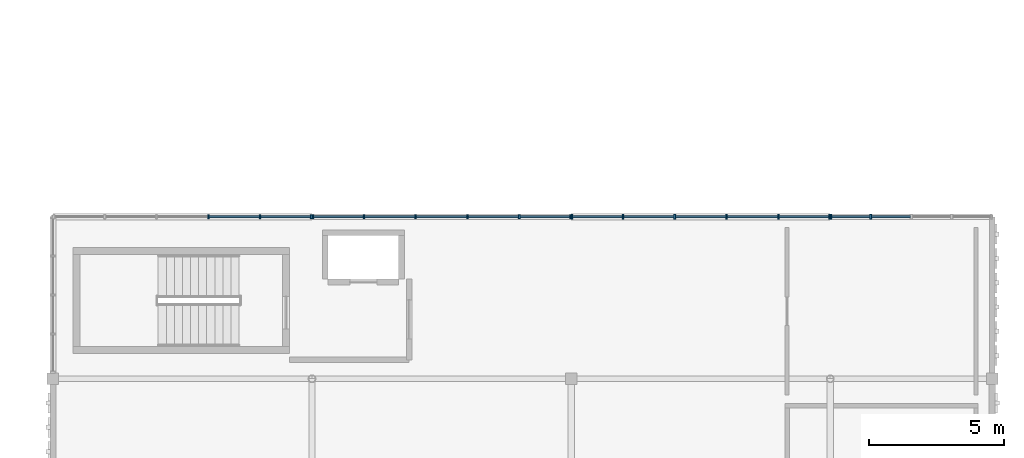
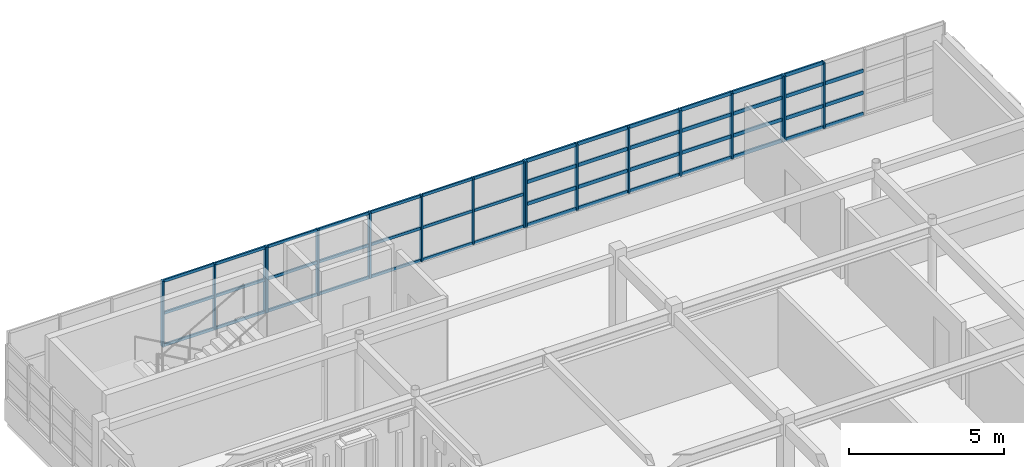
# One storey, part 18 of 46: 65 members, 4 elements without a shape of their own.
"""IFC4 building model written with IfcOpenShell, lengths in metres."""

from ifc_helpers import new_model, si_unit, direction, frame, origin, origin_2d, place, context, subcontext, project, spatial, rectangle, extrude, material, material_profile, profile_set, type_object, element, aggregate, save


model = new_model("IFC4")

# Units and contexts
model_context = context("Model", 3, precision=1e-05, world=origin(), true_north=direction((0.0, 1.0)))
body_context = subcontext(model_context, "Body", "Model", "MODEL_VIEW")
ifc_project = project(units=[si_unit("LENGTHUNIT", "METRE"), si_unit("AREAUNIT", "SQUARE_METRE"), si_unit("VOLUMEUNIT", "CUBIC_METRE"), si_unit("PLANEANGLEUNIT", "RADIAN"), si_unit("MASSUNIT", "GRAM", prefix="KILO")], contexts=[model_context])

# Site, building, storey
site_placement = place(None, origin())
site = spatial("IfcSite", under=ifc_project, at=site_placement, CompositionType="ELEMENT")
building_placement = place(site_placement, origin())
building = spatial("IfcBuilding", under=site, at=building_placement, Name="Nzembalo Square Collegiate School", CompositionType="ELEMENT")
storey_placement = place(building_placement, frame((0.0, 0.0, 17.340087890625)))
storey = spatial("IfcBuildingStorey", under=building, at=storey_placement, Name="L04", CompositionType="ELEMENT", Elevation=17.340087890625)

# Curtain wall, members
ifc_material_1 = material(Name="Aluminium 6060-T66", Category="aluminium")
curtain_wall_type_1 = type_object("IfcCurtainWallType", Name="CW-09", PredefinedType="USERDEFINED", material=ifc_material_1)
curtain_wall_1_placement = place(storey_placement, origin())
curtain_wall_1 = element("IfcCurtainWall", 1, at=curtain_wall_1_placement, inside=storey, type_object=curtain_wall_type_1, Name="Curtain wall CW-09 cw:L04:140", ObjectType="UNITISED", PredefinedType="USERDEFINED")
ifc_material_2 = material(Name="Aluminium 6060-T66", Category="aluminium")
ifc_material_profile_1 = material_profile(ifc_material_2, rectangle(XDim=0.06005859375, YDim=0.179931640625, at=origin_2d()), Name="ALU M60x180")
ifc_profile_set_1 = profile_set([ifc_material_profile_1], Name="Aluminium 6060-T66")
member_type_1 = type_object("IfcMemberType", Name="ML01", PredefinedType="MULLION", material=ifc_profile_set_1)
member_1_placement = place(storey_placement, frame((150.030029296875, 88.800048828125, 0.849853515625), z_axis=(0.0, 0.0, 1.0), x_axis=(1.0, 0.0, 0.0)))
member_1 = element("IfcMember", 2, at=member_1_placement, type_object=member_type_1, Name="ML01 mullion 1", PredefinedType="MULLION", context=body_context, shape_type="SweptSolid", body=[
    extrude(rectangle(XDim=0.06005859375, YDim=0.179931640625, at=origin_2d()), origin(), (0.0, 0.0, 1.0), 2.583984375),
])
member_2_placement = place(storey_placement, frame((151.919921875, 88.800048828125, 0.849853515625), z_axis=(0.0, 0.0, 1.0), x_axis=(1.0, 0.0, 0.0)))
member_2 = element("IfcMember", 3, at=member_2_placement, type_object=member_type_1, Name="ML01 mullion 2", PredefinedType="MULLION", context=body_context, shape_type="SweptSolid", body=[
    extrude(rectangle(XDim=0.06005859375, YDim=0.179931640625, at=origin_2d()), origin(), (0.0, 0.0, 1.0), 2.583984375),
])
member_3_placement = place(storey_placement, frame((153.840087890625, 88.800048828125, 0.849853515625), z_axis=(0.0, 0.0, 1.0), x_axis=(1.0, 0.0, 0.0)))
member_3 = element("IfcMember", 4, at=member_3_placement, type_object=member_type_1, Name="ML01 mullion 3", PredefinedType="MULLION", context=body_context, shape_type="SweptSolid", body=[
    extrude(rectangle(XDim=0.06005859375, YDim=0.179931640625, at=origin_2d()), origin(), (0.0, 0.0, 1.0), 2.583984375),
])
member_4_placement = place(storey_placement, frame((155.760009765625, 88.800048828125, 0.849853515625), z_axis=(0.0, 0.0, 1.0), x_axis=(1.0, 0.0, 0.0)))
member_4 = element("IfcMember", 5, at=member_4_placement, type_object=member_type_1, Name="ML01 mullion 4", PredefinedType="MULLION", context=body_context, shape_type="SweptSolid", body=[
    extrude(rectangle(XDim=0.06005859375, YDim=0.179931640625, at=origin_2d()), origin(), (0.0, 0.0, 1.0), 2.583984375),
])
member_5_placement = place(storey_placement, frame((157.679931640625, 88.800048828125, 0.849853515625), z_axis=(0.0, 0.0, 1.0), x_axis=(1.0, 0.0, 0.0)))
member_5 = element("IfcMember", 6, at=member_5_placement, type_object=member_type_1, Name="ML01 mullion 5", PredefinedType="MULLION", context=body_context, shape_type="SweptSolid", body=[
    extrude(rectangle(XDim=0.06005859375, YDim=0.179931640625, at=origin_2d()), origin(), (0.0, 0.0, 1.0), 2.583984375),
])
member_6_placement = place(storey_placement, frame((159.570068359375, 88.800048828125, 0.849853515625), z_axis=(0.0, 0.0, 1.0), x_axis=(1.0, 0.0, 0.0)))
member_6 = element("IfcMember", 7, at=member_6_placement, type_object=member_type_1, Name="ML01 mullion 6", PredefinedType="MULLION", context=body_context, shape_type="SweptSolid", body=[
    extrude(rectangle(XDim=0.06005859375, YDim=0.179931640625, at=origin_2d()), origin(), (0.0, 0.0, 1.0), 2.583984375),
])

ifc_material_3 = material(Name="Aluminium 6060-T66", Category="aluminium")
curtain_wall_type_2 = type_object("IfcCurtainWallType", Name="CW-06", PredefinedType="USERDEFINED", material=ifc_material_3)
curtain_wall_2_placement = place(storey_placement, origin())
curtain_wall_2 = element("IfcCurtainWall", 8, at=curtain_wall_2_placement, inside=storey, type_object=curtain_wall_type_2, Name="Curtain wall CW-06 cw:L04:141", ObjectType="LANCET", PredefinedType="USERDEFINED")
member_7_placement = place(storey_placement, frame((159.6298828125, 88.800048828125, 0.849853515625), z_axis=(0.0, 0.0, 1.0), x_axis=(1.0, 0.0, 0.0)))
member_7 = element("IfcMember", 9, at=member_7_placement, type_object=member_type_1, Name="ML01 mullion 1", PredefinedType="MULLION", context=body_context, shape_type="SweptSolid", body=[
    extrude(rectangle(XDim=0.06005859375, YDim=0.179931640625, at=origin_2d()), origin(), (0.0, 0.0, 1.0), 2.583984375),
])
member_8_placement = place(storey_placement, frame((161.10009765625, 88.800048828125, 0.849853515625), z_axis=(0.0, 0.0, 1.0), x_axis=(1.0, 0.0, 0.0)))
member_8 = element("IfcMember", 10, at=member_8_placement, type_object=member_type_1, Name="ML01 mullion 2", PredefinedType="MULLION", context=body_context, shape_type="SweptSolid", body=[
    extrude(rectangle(XDim=0.06005859375, YDim=0.179931640625, at=origin_2d()), origin(), (0.0, 0.0, 1.0), 2.583984375),
])

ifc_material_4 = material(Name="Aluminium 6060-T66", Category="aluminium")
curtain_wall_type_3 = type_object("IfcCurtainWallType", Name="CW-11", PredefinedType="USERDEFINED", material=ifc_material_4)
curtain_wall_3_placement = place(storey_placement, origin())
curtain_wall_3 = element("IfcCurtainWall", 11, at=curtain_wall_3_placement, inside=storey, type_object=curtain_wall_type_3, Name="Curtain wall CW-11 cw:L04:138", ObjectType="LANCET", PredefinedType="USERDEFINED")
ifc_material_5 = material(Name="Aluminium 6060-T66", Category="aluminium")
ifc_material_profile_2 = material_profile(ifc_material_5, rectangle(XDim=0.06005859375, YDim=0.14990234375, at=origin_2d()), Name="ALU M60x150")
ifc_profile_set_2 = profile_set([ifc_material_profile_2], Name="Aluminium 6060-T66")
member_type_2 = type_object("IfcMemberType", Name="ML02", PredefinedType="MULLION", material=ifc_profile_set_2)
member_9_placement = place(storey_placement, frame((136.56005859375, 88.800048828125, 0.849853515625), z_axis=(0.0, 0.0, 1.0), x_axis=(1.0, 0.0, 0.0)))
member_9 = element("IfcMember", 12, at=member_9_placement, type_object=member_type_2, Name="ML02 mullion 4", PredefinedType="MULLION", context=body_context, shape_type="SweptSolid", body=[
    extrude(rectangle(XDim=0.06005859375, YDim=0.14990234375, at=origin_2d()), origin(), (0.0, 0.0, 1.0), 2.583984375),
])
member_10_placement = place(storey_placement, frame((138.47998046875, 88.800048828125, 0.849853515625), z_axis=(0.0, 0.0, 1.0), x_axis=(1.0, 0.0, 0.0)))
member_10 = element("IfcMember", 13, at=member_10_placement, type_object=member_type_2, Name="ML02 mullion 5", PredefinedType="MULLION", context=body_context, shape_type="SweptSolid", body=[
    extrude(rectangle(XDim=0.06005859375, YDim=0.14990234375, at=origin_2d()), origin(), (0.0, 0.0, 1.0), 2.583984375),
])
member_11_placement = place(storey_placement, frame((140.3701171875, 88.800048828125, 0.849853515625), z_axis=(0.0, 0.0, 1.0), x_axis=(1.0, 0.0, 0.0)))
member_11 = element("IfcMember", 14, at=member_11_placement, type_object=member_type_2, Name="ML02 mullion 6", PredefinedType="MULLION", context=body_context, shape_type="SweptSolid", body=[
    extrude(rectangle(XDim=0.06005859375, YDim=0.14990234375, at=origin_2d()), origin(), (0.0, 0.0, 1.0), 2.583984375),
])

ifc_material_6 = material(Name="Aluminium 6060-T66", Category="aluminium")
curtain_wall_type_4 = type_object("IfcCurtainWallType", Name="CW-12", PredefinedType="USERDEFINED", material=ifc_material_6)
curtain_wall_4_placement = place(storey_placement, origin())
curtain_wall_4 = element("IfcCurtainWall", 15, at=curtain_wall_4_placement, inside=storey, type_object=curtain_wall_type_4, Name="Curtain wall CW-12 cw:L04:139", ObjectType="LANCET", PredefinedType="USERDEFINED")
member_12_placement = place(storey_placement, frame((140.429931640625, 88.800048828125, 0.849853515625), z_axis=(0.0, 0.0, 1.0), x_axis=(1.0, 0.0, 0.0)))
member_12 = element("IfcMember", 16, at=member_12_placement, type_object=member_type_2, Name="ML02 mullion 1", PredefinedType="MULLION", context=body_context, shape_type="SweptSolid", body=[
    extrude(rectangle(XDim=0.06005859375, YDim=0.14990234375, at=origin_2d()), origin(), (0.0, 0.0, 1.0), 2.583984375),
])
member_13_placement = place(storey_placement, frame((142.320068359375, 88.800048828125, 0.849853515625), z_axis=(0.0, 0.0, 1.0), x_axis=(1.0, 0.0, 0.0)))
member_13 = element("IfcMember", 17, at=member_13_placement, type_object=member_type_2, Name="ML02 mullion 2", PredefinedType="MULLION", context=body_context, shape_type="SweptSolid", body=[
    extrude(rectangle(XDim=0.06005859375, YDim=0.14990234375, at=origin_2d()), origin(), (0.0, 0.0, 1.0), 2.583984375),
])
member_14_placement = place(storey_placement, frame((144.239990234375, 88.800048828125, 0.849853515625), z_axis=(0.0, 0.0, 1.0), x_axis=(1.0, 0.0, 0.0)))
member_14 = element("IfcMember", 18, at=member_14_placement, type_object=member_type_2, Name="ML02 mullion 3", PredefinedType="MULLION", context=body_context, shape_type="SweptSolid", body=[
    extrude(rectangle(XDim=0.06005859375, YDim=0.14990234375, at=origin_2d()), origin(), (0.0, 0.0, 1.0), 2.583984375),
])
member_15_placement = place(storey_placement, frame((146.159912109375, 88.800048828125, 0.849853515625), z_axis=(0.0, 0.0, 1.0), x_axis=(1.0, 0.0, 0.0)))
member_15 = element("IfcMember", 19, at=member_15_placement, type_object=member_type_2, Name="ML02 mullion 4", PredefinedType="MULLION", context=body_context, shape_type="SweptSolid", body=[
    extrude(rectangle(XDim=0.06005859375, YDim=0.14990234375, at=origin_2d()), origin(), (0.0, 0.0, 1.0), 2.583984375),
])
member_16_placement = place(storey_placement, frame((148.080078125, 88.800048828125, 0.849853515625), z_axis=(0.0, 0.0, 1.0), x_axis=(1.0, 0.0, 0.0)))
member_16 = element("IfcMember", 20, at=member_16_placement, type_object=member_type_2, Name="ML02 mullion 5", PredefinedType="MULLION", context=body_context, shape_type="SweptSolid", body=[
    extrude(rectangle(XDim=0.06005859375, YDim=0.14990234375, at=origin_2d()), origin(), (0.0, 0.0, 1.0), 2.583984375),
])
member_17_placement = place(storey_placement, frame((149.969970703125, 88.800048828125, 0.849853515625), z_axis=(0.0, 0.0, 1.0), x_axis=(1.0, 0.0, 0.0)))
member_17 = element("IfcMember", 21, at=member_17_placement, type_object=member_type_2, Name="ML02 mullion 6", PredefinedType="MULLION", context=body_context, shape_type="SweptSolid", body=[
    extrude(rectangle(XDim=0.06005859375, YDim=0.14990234375, at=origin_2d()), origin(), (0.0, 0.0, 1.0), 2.583984375),
])

# Member
ifc_material_7 = material(Name="Aluminium 6060-T66", Category="aluminium")
ifc_material_profile_3 = material_profile(ifc_material_7, rectangle(XDim=0.06005859375, YDim=0.139892578125, at=origin_2d()), Name="ALU T60x140")
ifc_profile_set_3 = profile_set([ifc_material_profile_3], Name="Aluminium 6060-T66")
member_type_3 = type_object("IfcMemberType", Name="TR01", PredefinedType="USERDEFINED", material=ifc_profile_set_3)
member_18_placement = place(storey_placement, frame((150.06005859375, 88.800048828125, 0.8798828125), z_axis=(1.0, 0.0, 0.0), x_axis=(0.0, 1.0, 0.0)))
member_18 = element("IfcMember", 22, at=member_18_placement, type_object=member_type_3, Name="TR01 transom 1-1", ObjectType="TRANSOM", PredefinedType="USERDEFINED", context=body_context, shape_type="SweptSolid", body=[
    extrude(rectangle(XDim=0.06005859375, YDim=0.139892578125, at=origin_2d()), origin(), (0.0, 0.0, 1.0), 1.829833984375),
])

member_19_placement = place(storey_placement, frame((151.949951171875, 88.800048828125, 0.8798828125), z_axis=(1.0, 0.0, 0.0), x_axis=(0.0, 1.0, 0.0)))
member_19 = element("IfcMember", 23, at=member_19_placement, type_object=member_type_3, Name="TR01 transom 1-2", ObjectType="TRANSOM", PredefinedType="USERDEFINED", context=body_context, shape_type="SweptSolid", body=[
    extrude(rectangle(XDim=0.06005859375, YDim=0.139892578125, at=origin_2d()), origin(), (0.0, 0.0, 1.0), 1.860107421875),
])

member_20_placement = place(storey_placement, frame((153.8701171875, 88.800048828125, 0.8798828125), z_axis=(1.0, 0.0, 0.0), x_axis=(0.0, 1.0, 0.0)))
member_20 = element("IfcMember", 24, at=member_20_placement, type_object=member_type_3, Name="TR01 transom 1-3", ObjectType="TRANSOM", PredefinedType="USERDEFINED", context=body_context, shape_type="SweptSolid", body=[
    extrude(rectangle(XDim=0.06005859375, YDim=0.139892578125, at=origin_2d()), origin(), (0.0, 0.0, 1.0), 1.85986328125),
])

member_21_placement = place(storey_placement, frame((155.7900390625, 88.800048828125, 0.8798828125), z_axis=(1.0, 0.0, 0.0), x_axis=(0.0, 1.0, 0.0)))
member_21 = element("IfcMember", 25, at=member_21_placement, type_object=member_type_3, Name="TR01 transom 1-4", ObjectType="TRANSOM", PredefinedType="USERDEFINED", context=body_context, shape_type="SweptSolid", body=[
    extrude(rectangle(XDim=0.06005859375, YDim=0.139892578125, at=origin_2d()), origin(), (0.0, 0.0, 1.0), 1.85986328125),
])

member_22_placement = place(storey_placement, frame((157.7099609375, 88.800048828125, 0.8798828125), z_axis=(1.0, 0.0, 0.0), x_axis=(0.0, 1.0, 0.0)))
member_22 = element("IfcMember", 26, at=member_22_placement, type_object=member_type_3, Name="TR01 transom 1-5", ObjectType="TRANSOM", PredefinedType="USERDEFINED", context=body_context, shape_type="SweptSolid", body=[
    extrude(rectangle(XDim=0.06005859375, YDim=0.139892578125, at=origin_2d()), origin(), (0.0, 0.0, 1.0), 1.830078125),
])

member_23_placement = place(storey_placement, frame((150.06005859375, 88.800048828125, 1.711181640625), z_axis=(1.0, 0.0, 0.0), x_axis=(0.0, 1.0, 0.0)))
member_23 = element("IfcMember", 27, at=member_23_placement, type_object=member_type_3, Name="TR01 transom 2-1", ObjectType="TRANSOM", PredefinedType="USERDEFINED", context=body_context, shape_type="SweptSolid", body=[
    extrude(rectangle(XDim=0.06005859375, YDim=0.139892578125, at=origin_2d()), origin(), (0.0, 0.0, 1.0), 1.829833984375),
])

member_24_placement = place(storey_placement, frame((151.949951171875, 88.800048828125, 1.711181640625), z_axis=(1.0, 0.0, 0.0), x_axis=(0.0, 1.0, 0.0)))
member_24 = element("IfcMember", 28, at=member_24_placement, type_object=member_type_3, Name="TR01 transom 2-2", ObjectType="TRANSOM", PredefinedType="USERDEFINED", context=body_context, shape_type="SweptSolid", body=[
    extrude(rectangle(XDim=0.06005859375, YDim=0.139892578125, at=origin_2d()), origin(), (0.0, 0.0, 1.0), 1.860107421875),
])

member_25_placement = place(storey_placement, frame((153.8701171875, 88.800048828125, 1.711181640625), z_axis=(1.0, 0.0, 0.0), x_axis=(0.0, 1.0, 0.0)))
member_25 = element("IfcMember", 29, at=member_25_placement, type_object=member_type_3, Name="TR01 transom 2-3", ObjectType="TRANSOM", PredefinedType="USERDEFINED", context=body_context, shape_type="SweptSolid", body=[
    extrude(rectangle(XDim=0.06005859375, YDim=0.139892578125, at=origin_2d()), origin(), (0.0, 0.0, 1.0), 1.85986328125),
])

member_26_placement = place(storey_placement, frame((155.7900390625, 88.800048828125, 1.711181640625), z_axis=(1.0, 0.0, 0.0), x_axis=(0.0, 1.0, 0.0)))
member_26 = element("IfcMember", 30, at=member_26_placement, type_object=member_type_3, Name="TR01 transom 2-4", ObjectType="TRANSOM", PredefinedType="USERDEFINED", context=body_context, shape_type="SweptSolid", body=[
    extrude(rectangle(XDim=0.06005859375, YDim=0.139892578125, at=origin_2d()), origin(), (0.0, 0.0, 1.0), 1.85986328125),
])

member_27_placement = place(storey_placement, frame((157.7099609375, 88.800048828125, 1.711181640625), z_axis=(1.0, 0.0, 0.0), x_axis=(0.0, 1.0, 0.0)))
member_27 = element("IfcMember", 31, at=member_27_placement, type_object=member_type_3, Name="TR01 transom 2-5", ObjectType="TRANSOM", PredefinedType="USERDEFINED", context=body_context, shape_type="SweptSolid", body=[
    extrude(rectangle(XDim=0.06005859375, YDim=0.139892578125, at=origin_2d()), origin(), (0.0, 0.0, 1.0), 1.830078125),
])

member_28_placement = place(storey_placement, frame((150.06005859375, 88.800048828125, 2.572509765625), z_axis=(1.0, 0.0, 0.0), x_axis=(0.0, 1.0, 0.0)))
member_28 = element("IfcMember", 32, at=member_28_placement, type_object=member_type_3, Name="TR01 transom 3-1", ObjectType="TRANSOM", PredefinedType="USERDEFINED", context=body_context, shape_type="SweptSolid", body=[
    extrude(rectangle(XDim=0.06005859375, YDim=0.139892578125, at=origin_2d()), origin(), (0.0, 0.0, 1.0), 1.829833984375),
])

member_29_placement = place(storey_placement, frame((151.949951171875, 88.800048828125, 2.572509765625), z_axis=(1.0, 0.0, 0.0), x_axis=(0.0, 1.0, 0.0)))
member_29 = element("IfcMember", 33, at=member_29_placement, type_object=member_type_3, Name="TR01 transom 3-2", ObjectType="TRANSOM", PredefinedType="USERDEFINED", context=body_context, shape_type="SweptSolid", body=[
    extrude(rectangle(XDim=0.06005859375, YDim=0.139892578125, at=origin_2d()), origin(), (0.0, 0.0, 1.0), 1.860107421875),
])

member_30_placement = place(storey_placement, frame((153.8701171875, 88.800048828125, 2.572509765625), z_axis=(1.0, 0.0, 0.0), x_axis=(0.0, 1.0, 0.0)))
member_30 = element("IfcMember", 34, at=member_30_placement, type_object=member_type_3, Name="TR01 transom 3-3", ObjectType="TRANSOM", PredefinedType="USERDEFINED", context=body_context, shape_type="SweptSolid", body=[
    extrude(rectangle(XDim=0.06005859375, YDim=0.139892578125, at=origin_2d()), origin(), (0.0, 0.0, 1.0), 1.85986328125),
])

member_31_placement = place(storey_placement, frame((155.7900390625, 88.800048828125, 2.572509765625), z_axis=(1.0, 0.0, 0.0), x_axis=(0.0, 1.0, 0.0)))
member_31 = element("IfcMember", 35, at=member_31_placement, type_object=member_type_3, Name="TR01 transom 3-4", ObjectType="TRANSOM", PredefinedType="USERDEFINED", context=body_context, shape_type="SweptSolid", body=[
    extrude(rectangle(XDim=0.06005859375, YDim=0.139892578125, at=origin_2d()), origin(), (0.0, 0.0, 1.0), 1.85986328125),
])

member_32_placement = place(storey_placement, frame((157.7099609375, 88.800048828125, 2.572509765625), z_axis=(1.0, 0.0, 0.0), x_axis=(0.0, 1.0, 0.0)))
member_32 = element("IfcMember", 36, at=member_32_placement, type_object=member_type_3, Name="TR01 transom 3-5", ObjectType="TRANSOM", PredefinedType="USERDEFINED", context=body_context, shape_type="SweptSolid", body=[
    extrude(rectangle(XDim=0.06005859375, YDim=0.139892578125, at=origin_2d()), origin(), (0.0, 0.0, 1.0), 1.830078125),
])

member_33_placement = place(storey_placement, frame((150.06005859375, 88.800048828125, 3.40380859375), z_axis=(1.0, 0.0, 0.0), x_axis=(0.0, 1.0, 0.0)))
member_33 = element("IfcMember", 37, at=member_33_placement, type_object=member_type_3, Name="TR01 transom 4-1", ObjectType="TRANSOM", PredefinedType="USERDEFINED", context=body_context, shape_type="SweptSolid", body=[
    extrude(rectangle(XDim=0.06005859375, YDim=0.139892578125, at=origin_2d()), origin(), (0.0, 0.0, 1.0), 1.829833984375),
])

member_34_placement = place(storey_placement, frame((151.949951171875, 88.800048828125, 3.40380859375), z_axis=(1.0, 0.0, 0.0), x_axis=(0.0, 1.0, 0.0)))
member_34 = element("IfcMember", 38, at=member_34_placement, type_object=member_type_3, Name="TR01 transom 4-2", ObjectType="TRANSOM", PredefinedType="USERDEFINED", context=body_context, shape_type="SweptSolid", body=[
    extrude(rectangle(XDim=0.06005859375, YDim=0.139892578125, at=origin_2d()), origin(), (0.0, 0.0, 1.0), 1.860107421875),
])

member_35_placement = place(storey_placement, frame((153.8701171875, 88.800048828125, 3.40380859375), z_axis=(1.0, 0.0, 0.0), x_axis=(0.0, 1.0, 0.0)))
member_35 = element("IfcMember", 39, at=member_35_placement, type_object=member_type_3, Name="TR01 transom 4-3", ObjectType="TRANSOM", PredefinedType="USERDEFINED", context=body_context, shape_type="SweptSolid", body=[
    extrude(rectangle(XDim=0.06005859375, YDim=0.139892578125, at=origin_2d()), origin(), (0.0, 0.0, 1.0), 1.85986328125),
])

member_36_placement = place(storey_placement, frame((155.7900390625, 88.800048828125, 3.40380859375), z_axis=(1.0, 0.0, 0.0), x_axis=(0.0, 1.0, 0.0)))
member_36 = element("IfcMember", 40, at=member_36_placement, type_object=member_type_3, Name="TR01 transom 4-4", ObjectType="TRANSOM", PredefinedType="USERDEFINED", context=body_context, shape_type="SweptSolid", body=[
    extrude(rectangle(XDim=0.06005859375, YDim=0.139892578125, at=origin_2d()), origin(), (0.0, 0.0, 1.0), 1.85986328125),
])

member_37_placement = place(storey_placement, frame((157.7099609375, 88.800048828125, 3.40380859375), z_axis=(1.0, 0.0, 0.0), x_axis=(0.0, 1.0, 0.0)))
member_37 = element("IfcMember", 41, at=member_37_placement, type_object=member_type_3, Name="TR01 transom 4-5", ObjectType="TRANSOM", PredefinedType="USERDEFINED", context=body_context, shape_type="SweptSolid", body=[
    extrude(rectangle(XDim=0.06005859375, YDim=0.139892578125, at=origin_2d()), origin(), (0.0, 0.0, 1.0), 1.830078125),
])

aggregate(curtain_wall_1, [member_1, member_2, member_3, member_4, member_5, member_6, member_18, member_19, member_20, member_21, member_22, member_23, member_24, member_25, member_26, member_27, member_28, member_29, member_30, member_31, member_32, member_33, member_34, member_35, member_36, member_37])

member_38_placement = place(storey_placement, frame((159.659912109375, 88.800048828125, 0.8798828125), z_axis=(1.0, 0.0, 0.0), x_axis=(0.0, 1.0, 0.0)))
member_38 = element("IfcMember", 42, at=member_38_placement, type_object=member_type_3, Name="TR01 transom 1-1", ObjectType="TRANSOM", PredefinedType="USERDEFINED", context=body_context, shape_type="SweptSolid", body=[
    extrude(rectangle(XDim=0.06005859375, YDim=0.139892578125, at=origin_2d()), origin(), (0.0, 0.0, 1.0), 1.41015625),
])

member_39_placement = place(storey_placement, frame((161.1298828125, 88.800048828125, 0.8798828125), z_axis=(1.0, 0.0, 0.0), x_axis=(0.0, 1.0, 0.0)))
member_39 = element("IfcMember", 43, at=member_39_placement, type_object=member_type_3, Name="TR01 transom 1-2", ObjectType="TRANSOM", PredefinedType="USERDEFINED", context=body_context, shape_type="SweptSolid", body=[
    extrude(rectangle(XDim=0.06005859375, YDim=0.139892578125, at=origin_2d()), origin(), (0.0, 0.0, 1.0), 1.440185546875),
])

member_40_placement = place(storey_placement, frame((159.659912109375, 88.800048828125, 1.711181640625), z_axis=(1.0, 0.0, 0.0), x_axis=(0.0, 1.0, 0.0)))
member_40 = element("IfcMember", 44, at=member_40_placement, type_object=member_type_3, Name="TR01 transom 2-1", ObjectType="TRANSOM", PredefinedType="USERDEFINED", context=body_context, shape_type="SweptSolid", body=[
    extrude(rectangle(XDim=0.06005859375, YDim=0.139892578125, at=origin_2d()), origin(), (0.0, 0.0, 1.0), 1.41015625),
])

member_41_placement = place(storey_placement, frame((161.1298828125, 88.800048828125, 1.711181640625), z_axis=(1.0, 0.0, 0.0), x_axis=(0.0, 1.0, 0.0)))
member_41 = element("IfcMember", 45, at=member_41_placement, type_object=member_type_3, Name="TR01 transom 2-2", ObjectType="TRANSOM", PredefinedType="USERDEFINED", context=body_context, shape_type="SweptSolid", body=[
    extrude(rectangle(XDim=0.06005859375, YDim=0.139892578125, at=origin_2d()), origin(), (0.0, 0.0, 1.0), 1.440185546875),
])

member_42_placement = place(storey_placement, frame((159.659912109375, 88.800048828125, 2.572509765625), z_axis=(1.0, 0.0, 0.0), x_axis=(0.0, 1.0, 0.0)))
member_42 = element("IfcMember", 46, at=member_42_placement, type_object=member_type_3, Name="TR01 transom 3-1", ObjectType="TRANSOM", PredefinedType="USERDEFINED", context=body_context, shape_type="SweptSolid", body=[
    extrude(rectangle(XDim=0.06005859375, YDim=0.139892578125, at=origin_2d()), origin(), (0.0, 0.0, 1.0), 1.41015625),
])

member_43_placement = place(storey_placement, frame((161.1298828125, 88.800048828125, 2.572509765625), z_axis=(1.0, 0.0, 0.0), x_axis=(0.0, 1.0, 0.0)))
member_43 = element("IfcMember", 47, at=member_43_placement, type_object=member_type_3, Name="TR01 transom 3-2", ObjectType="TRANSOM", PredefinedType="USERDEFINED", context=body_context, shape_type="SweptSolid", body=[
    extrude(rectangle(XDim=0.06005859375, YDim=0.139892578125, at=origin_2d()), origin(), (0.0, 0.0, 1.0), 1.440185546875),
])

member_44_placement = place(storey_placement, frame((159.659912109375, 88.800048828125, 3.40380859375), z_axis=(1.0, 0.0, 0.0), x_axis=(0.0, 1.0, 0.0)))
member_44 = element("IfcMember", 48, at=member_44_placement, type_object=member_type_3, Name="TR01 transom 4-1", ObjectType="TRANSOM", PredefinedType="USERDEFINED", context=body_context, shape_type="SweptSolid", body=[
    extrude(rectangle(XDim=0.06005859375, YDim=0.139892578125, at=origin_2d()), origin(), (0.0, 0.0, 1.0), 1.41015625),
])

aggregate(curtain_wall_2, [member_7, member_8, member_38, member_39, member_40, member_41, member_42, member_43, member_44])

ifc_material_8 = material(Name="Aluminium 6060-T66", Category="aluminium")
ifc_material_profile_4 = material_profile(ifc_material_8, rectangle(XDim=0.06005859375, YDim=0.110107421875, at=origin_2d()), Name="ALU T60x110")
ifc_profile_set_4 = profile_set([ifc_material_profile_4], Name="Aluminium 6060-T66")
member_type_4 = type_object("IfcMemberType", Name="TR02", PredefinedType="USERDEFINED", material=ifc_profile_set_4)
member_45_placement = place(storey_placement, frame((136.590087890625, 88.800048828125, 0.8798828125), z_axis=(1.0, 0.0, 0.0), x_axis=(0.0, 1.0, 0.0)))
member_45 = element("IfcMember", 49, at=member_45_placement, type_object=member_type_4, Name="TR02 transom 1-4", ObjectType="TRANSOM", PredefinedType="USERDEFINED", context=body_context, shape_type="SweptSolid", body=[
    extrude(rectangle(XDim=0.06005859375, YDim=0.110107421875, at=origin_2d()), origin(), (0.0, 0.0, 1.0), 1.85986328125),
])

member_46_placement = place(storey_placement, frame((138.510009765625, 88.800048828125, 0.8798828125), z_axis=(1.0, 0.0, 0.0), x_axis=(0.0, 1.0, 0.0)))
member_46 = element("IfcMember", 50, at=member_46_placement, type_object=member_type_4, Name="TR02 transom 1-5", ObjectType="TRANSOM", PredefinedType="USERDEFINED", context=body_context, shape_type="SweptSolid", body=[
    extrude(rectangle(XDim=0.06005859375, YDim=0.110107421875, at=origin_2d()), origin(), (0.0, 0.0, 1.0), 1.830078125),
])

member_47_placement = place(storey_placement, frame((136.590087890625, 88.800048828125, 2.141845703125), z_axis=(1.0, 0.0, 0.0), x_axis=(0.0, 1.0, 0.0)))
member_47 = element("IfcMember", 51, at=member_47_placement, type_object=member_type_4, Name="TR02 transom 2-4", ObjectType="TRANSOM", PredefinedType="USERDEFINED", context=body_context, shape_type="SweptSolid", body=[
    extrude(rectangle(XDim=0.06005859375, YDim=0.110107421875, at=origin_2d()), origin(), (0.0, 0.0, 1.0), 1.85986328125),
])

member_48_placement = place(storey_placement, frame((138.510009765625, 88.800048828125, 2.141845703125), z_axis=(1.0, 0.0, 0.0), x_axis=(0.0, 1.0, 0.0)))
member_48 = element("IfcMember", 52, at=member_48_placement, type_object=member_type_4, Name="TR02 transom 2-5", ObjectType="TRANSOM", PredefinedType="USERDEFINED", context=body_context, shape_type="SweptSolid", body=[
    extrude(rectangle(XDim=0.06005859375, YDim=0.110107421875, at=origin_2d()), origin(), (0.0, 0.0, 1.0), 1.830078125),
])

member_49_placement = place(storey_placement, frame((136.590087890625, 88.800048828125, 3.40380859375), z_axis=(1.0, 0.0, 0.0), x_axis=(0.0, 1.0, 0.0)))
member_49 = element("IfcMember", 53, at=member_49_placement, type_object=member_type_4, Name="TR02 transom 3-4", ObjectType="TRANSOM", PredefinedType="USERDEFINED", context=body_context, shape_type="SweptSolid", body=[
    extrude(rectangle(XDim=0.06005859375, YDim=0.110107421875, at=origin_2d()), origin(), (0.0, 0.0, 1.0), 1.85986328125),
])

member_50_placement = place(storey_placement, frame((138.510009765625, 88.800048828125, 3.40380859375), z_axis=(1.0, 0.0, 0.0), x_axis=(0.0, 1.0, 0.0)))
member_50 = element("IfcMember", 54, at=member_50_placement, type_object=member_type_4, Name="TR02 transom 3-5", ObjectType="TRANSOM", PredefinedType="USERDEFINED", context=body_context, shape_type="SweptSolid", body=[
    extrude(rectangle(XDim=0.06005859375, YDim=0.110107421875, at=origin_2d()), origin(), (0.0, 0.0, 1.0), 1.830078125),
])

aggregate(curtain_wall_3, [member_9, member_10, member_11, member_45, member_46, member_47, member_48, member_49, member_50])

member_51_placement = place(storey_placement, frame((140.4599609375, 88.800048828125, 0.8798828125), z_axis=(1.0, 0.0, 0.0), x_axis=(0.0, 1.0, 0.0)))
member_51 = element("IfcMember", 55, at=member_51_placement, type_object=member_type_4, Name="TR02 transom 1-1", ObjectType="TRANSOM", PredefinedType="USERDEFINED", context=body_context, shape_type="SweptSolid", body=[
    extrude(rectangle(XDim=0.06005859375, YDim=0.110107421875, at=origin_2d()), origin(), (0.0, 0.0, 1.0), 1.830078125),
])

member_52_placement = place(storey_placement, frame((142.35009765625, 88.800048828125, 0.8798828125), z_axis=(1.0, 0.0, 0.0), x_axis=(0.0, 1.0, 0.0)))
member_52 = element("IfcMember", 56, at=member_52_placement, type_object=member_type_4, Name="TR02 transom 1-2", ObjectType="TRANSOM", PredefinedType="USERDEFINED", context=body_context, shape_type="SweptSolid", body=[
    extrude(rectangle(XDim=0.06005859375, YDim=0.110107421875, at=origin_2d()), origin(), (0.0, 0.0, 1.0), 1.85986328125),
])

member_53_placement = place(storey_placement, frame((144.27001953125, 88.800048828125, 0.8798828125), z_axis=(1.0, 0.0, 0.0), x_axis=(0.0, 1.0, 0.0)))
member_53 = element("IfcMember", 57, at=member_53_placement, type_object=member_type_4, Name="TR02 transom 1-3", ObjectType="TRANSOM", PredefinedType="USERDEFINED", context=body_context, shape_type="SweptSolid", body=[
    extrude(rectangle(XDim=0.06005859375, YDim=0.110107421875, at=origin_2d()), origin(), (0.0, 0.0, 1.0), 1.85986328125),
])

member_54_placement = place(storey_placement, frame((146.18994140625, 88.800048828125, 0.8798828125), z_axis=(1.0, 0.0, 0.0), x_axis=(0.0, 1.0, 0.0)))
member_54 = element("IfcMember", 58, at=member_54_placement, type_object=member_type_4, Name="TR02 transom 1-4", ObjectType="TRANSOM", PredefinedType="USERDEFINED", context=body_context, shape_type="SweptSolid", body=[
    extrude(rectangle(XDim=0.06005859375, YDim=0.110107421875, at=origin_2d()), origin(), (0.0, 0.0, 1.0), 1.860107421875),
])

member_55_placement = place(storey_placement, frame((148.110107421875, 88.800048828125, 0.8798828125), z_axis=(1.0, 0.0, 0.0), x_axis=(0.0, 1.0, 0.0)))
member_55 = element("IfcMember", 59, at=member_55_placement, type_object=member_type_4, Name="TR02 transom 1-5", ObjectType="TRANSOM", PredefinedType="USERDEFINED", context=body_context, shape_type="SweptSolid", body=[
    extrude(rectangle(XDim=0.06005859375, YDim=0.110107421875, at=origin_2d()), origin(), (0.0, 0.0, 1.0), 1.829833984375),
])

member_56_placement = place(storey_placement, frame((140.4599609375, 88.800048828125, 2.141845703125), z_axis=(1.0, 0.0, 0.0), x_axis=(0.0, 1.0, 0.0)))
member_56 = element("IfcMember", 60, at=member_56_placement, type_object=member_type_4, Name="TR02 transom 2-1", ObjectType="TRANSOM", PredefinedType="USERDEFINED", context=body_context, shape_type="SweptSolid", body=[
    extrude(rectangle(XDim=0.06005859375, YDim=0.110107421875, at=origin_2d()), origin(), (0.0, 0.0, 1.0), 1.830078125),
])

member_57_placement = place(storey_placement, frame((142.35009765625, 88.800048828125, 2.141845703125), z_axis=(1.0, 0.0, 0.0), x_axis=(0.0, 1.0, 0.0)))
member_57 = element("IfcMember", 61, at=member_57_placement, type_object=member_type_4, Name="TR02 transom 2-2", ObjectType="TRANSOM", PredefinedType="USERDEFINED", context=body_context, shape_type="SweptSolid", body=[
    extrude(rectangle(XDim=0.06005859375, YDim=0.110107421875, at=origin_2d()), origin(), (0.0, 0.0, 1.0), 1.85986328125),
])

member_58_placement = place(storey_placement, frame((144.27001953125, 88.800048828125, 2.141845703125), z_axis=(1.0, 0.0, 0.0), x_axis=(0.0, 1.0, 0.0)))
member_58 = element("IfcMember", 62, at=member_58_placement, type_object=member_type_4, Name="TR02 transom 2-3", ObjectType="TRANSOM", PredefinedType="USERDEFINED", context=body_context, shape_type="SweptSolid", body=[
    extrude(rectangle(XDim=0.06005859375, YDim=0.110107421875, at=origin_2d()), origin(), (0.0, 0.0, 1.0), 1.85986328125),
])

member_59_placement = place(storey_placement, frame((146.18994140625, 88.800048828125, 2.141845703125), z_axis=(1.0, 0.0, 0.0), x_axis=(0.0, 1.0, 0.0)))
member_59 = element("IfcMember", 63, at=member_59_placement, type_object=member_type_4, Name="TR02 transom 2-4", ObjectType="TRANSOM", PredefinedType="USERDEFINED", context=body_context, shape_type="SweptSolid", body=[
    extrude(rectangle(XDim=0.06005859375, YDim=0.110107421875, at=origin_2d()), origin(), (0.0, 0.0, 1.0), 1.860107421875),
])

member_60_placement = place(storey_placement, frame((148.110107421875, 88.800048828125, 2.141845703125), z_axis=(1.0, 0.0, 0.0), x_axis=(0.0, 1.0, 0.0)))
member_60 = element("IfcMember", 64, at=member_60_placement, type_object=member_type_4, Name="TR02 transom 2-5", ObjectType="TRANSOM", PredefinedType="USERDEFINED", context=body_context, shape_type="SweptSolid", body=[
    extrude(rectangle(XDim=0.06005859375, YDim=0.110107421875, at=origin_2d()), origin(), (0.0, 0.0, 1.0), 1.829833984375),
])

member_61_placement = place(storey_placement, frame((140.4599609375, 88.800048828125, 3.40380859375), z_axis=(1.0, 0.0, 0.0), x_axis=(0.0, 1.0, 0.0)))
member_61 = element("IfcMember", 65, at=member_61_placement, type_object=member_type_4, Name="TR02 transom 3-1", ObjectType="TRANSOM", PredefinedType="USERDEFINED", context=body_context, shape_type="SweptSolid", body=[
    extrude(rectangle(XDim=0.06005859375, YDim=0.110107421875, at=origin_2d()), origin(), (0.0, 0.0, 1.0), 1.830078125),
])

member_62_placement = place(storey_placement, frame((142.35009765625, 88.800048828125, 3.40380859375), z_axis=(1.0, 0.0, 0.0), x_axis=(0.0, 1.0, 0.0)))
member_62 = element("IfcMember", 66, at=member_62_placement, type_object=member_type_4, Name="TR02 transom 3-2", ObjectType="TRANSOM", PredefinedType="USERDEFINED", context=body_context, shape_type="SweptSolid", body=[
    extrude(rectangle(XDim=0.06005859375, YDim=0.110107421875, at=origin_2d()), origin(), (0.0, 0.0, 1.0), 1.85986328125),
])

member_63_placement = place(storey_placement, frame((144.27001953125, 88.800048828125, 3.40380859375), z_axis=(1.0, 0.0, 0.0), x_axis=(0.0, 1.0, 0.0)))
member_63 = element("IfcMember", 67, at=member_63_placement, type_object=member_type_4, Name="TR02 transom 3-3", ObjectType="TRANSOM", PredefinedType="USERDEFINED", context=body_context, shape_type="SweptSolid", body=[
    extrude(rectangle(XDim=0.06005859375, YDim=0.110107421875, at=origin_2d()), origin(), (0.0, 0.0, 1.0), 1.85986328125),
])

member_64_placement = place(storey_placement, frame((146.18994140625, 88.800048828125, 3.40380859375), z_axis=(1.0, 0.0, 0.0), x_axis=(0.0, 1.0, 0.0)))
member_64 = element("IfcMember", 68, at=member_64_placement, type_object=member_type_4, Name="TR02 transom 3-4", ObjectType="TRANSOM", PredefinedType="USERDEFINED", context=body_context, shape_type="SweptSolid", body=[
    extrude(rectangle(XDim=0.06005859375, YDim=0.110107421875, at=origin_2d()), origin(), (0.0, 0.0, 1.0), 1.860107421875),
])

member_65_placement = place(storey_placement, frame((148.110107421875, 88.800048828125, 3.40380859375), z_axis=(1.0, 0.0, 0.0), x_axis=(0.0, 1.0, 0.0)))
member_65 = element("IfcMember", 69, at=member_65_placement, type_object=member_type_4, Name="TR02 transom 3-5", ObjectType="TRANSOM", PredefinedType="USERDEFINED", context=body_context, shape_type="SweptSolid", body=[
    extrude(rectangle(XDim=0.06005859375, YDim=0.110107421875, at=origin_2d()), origin(), (0.0, 0.0, 1.0), 1.829833984375),
])

aggregate(curtain_wall_4, [member_12, member_13, member_14, member_15, member_16, member_17, member_51, member_52, member_53, member_54, member_55, member_56, member_57, member_58, member_59, member_60, member_61, member_62, member_63, member_64, member_65])

save(model, "model.ifc")
